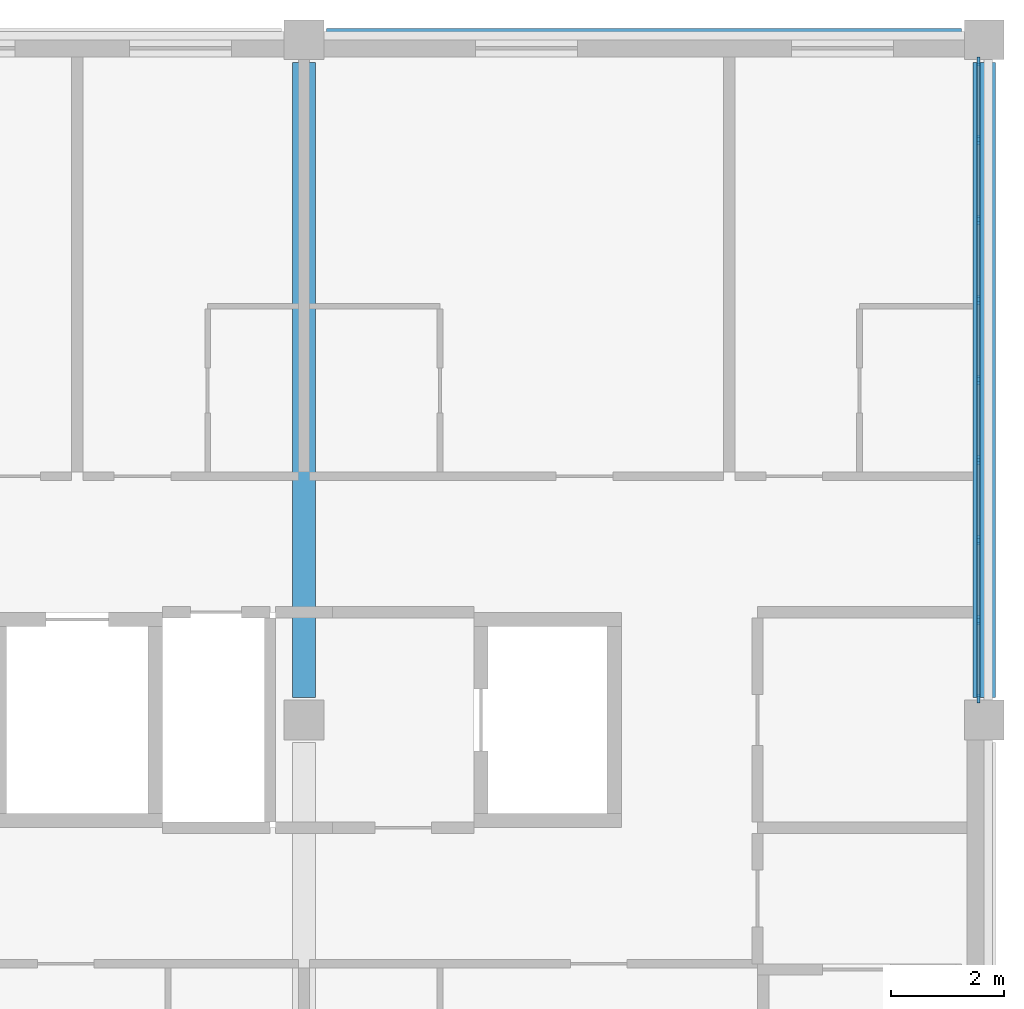
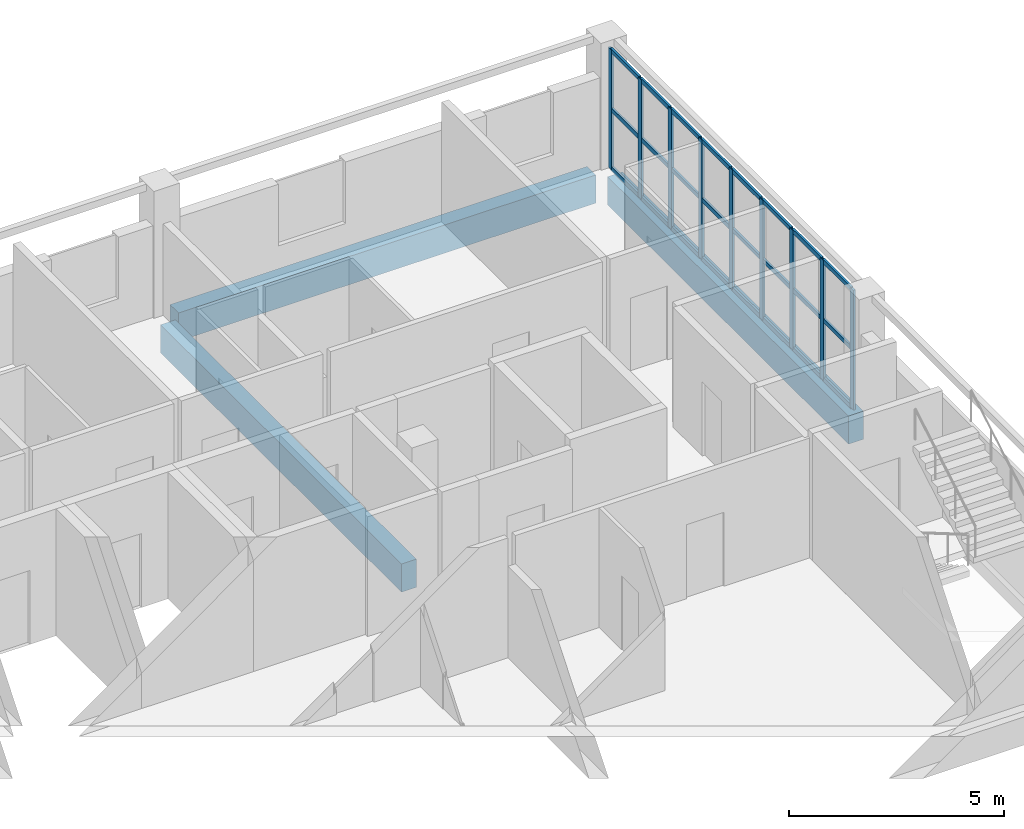
# One storey, part 4 of 11: 33 members, 3 beams, 1 element without a shape of its own.
"""IFC4 building model written with IfcOpenShell, lengths in metres."""

import ifcopenshell
import ifcopenshell.guid

model = None  # the IFC model being written
_history = None  # IfcOwnerHistory: only IFC2X3 demands one
_inside = {}  # id of a spatial element -> (the spatial element, [elements in it])
_under = {}  # id of a project, library or spatial element -> (it, [spatial elements below it])
_declared = {}  # id of a project -> (the project, [libraries it declares])
_typed = {}  # id of a type object -> (the type object, [elements of that type])
_made_of = {}  # id of a material, layer set ... -> (it, [elements and type objects made of it])


def new_model(schema):
    """Start an empty IFC model of exactly this schema.

    Asked for "IFC4X3", IfcOpenShell would pick the latest addendum, in which some entities
    have other attributes; the version numbers below select the first issue.
    IFC2X3 requires an IfcOwnerHistory on every rooted entity: one is made here for all.
    """
    global model, _history
    if schema == "IFC4X3":
        model = ifcopenshell.file(schema_version=(4, 3, 0, 0))
    else:
        model = ifcopenshell.file(schema=schema)
    _inside.clear()
    _under.clear()
    _declared.clear()
    _typed.clear()
    _made_of.clear()
    _history = None
    if model.schema == "IFC2X3":
        org = make("IfcOrganization", Name="unknown")
        user = make(
            "IfcPersonAndOrganization",
            ThePerson=make("IfcPerson", FamilyName="unknown"),
            TheOrganization=org,
        )
        app = make(
            "IfcApplication",
            ApplicationDeveloper=org,
            Version="unknown",
            ApplicationFullName="unknown",
            ApplicationIdentifier="unknown",
        )
        _history = make(
            "IfcOwnerHistory",
            OwningUser=user,
            OwningApplication=app,
            ChangeAction="ADDED",
            CreationDate=0,
        )
    return model


def make(cls, **values):
    """One entity of the class cls with the attributes given. An attribute that is None is left unset."""
    return model.create_entity(
        cls, **{name: value for name, value in values.items() if value is not None}
    )


def rooted(cls, **values):
    """An entity with a GlobalId (a new one), such as an element, a storey or a relation."""
    return make(cls, GlobalId=ifcopenshell.guid.new(), OwnerHistory=_history, **values)


def si_unit(unit_type, name, prefix=None):
    """IfcSIUnit, for example si_unit("LENGTHUNIT", "METRE", prefix="MILLI")."""
    return make("IfcSIUnit", UnitType=unit_type, Prefix=prefix, Name=name)


def assignment(units):
    """IfcUnitAssignment: the units of a project."""
    return None if units is None else make("IfcUnitAssignment", Units=units)


def point(xyz):
    """IfcCartesianPoint."""
    return None if xyz is None else make("IfcCartesianPoint", Coordinates=xyz)


def direction(xyz):
    """IfcDirection."""
    return None if xyz is None else make("IfcDirection", DirectionRatios=xyz)


def frame(location, z_axis=None, x_axis=None):
    """IfcAxis2Placement3D, a coordinate frame: its origin and axes. An axis left out is left unset."""
    return make(
        "IfcAxis2Placement3D",
        Location=point(location),
        Axis=direction(z_axis),
        RefDirection=direction(x_axis),
    )


def frame_2d(location, x_axis=None):
    """IfcAxis2Placement2D, a coordinate frame in the plane: its origin and x axis."""
    return make(
        "IfcAxis2Placement2D", Location=point(location), RefDirection=direction(x_axis)
    )


def origin():
    """The frame at (0, 0, 0) with its axes left unset."""
    return frame((0.0, 0.0, 0.0))


def origin_2d():
    """The frame at (0, 0) in the plane with its x axis left unset."""
    return frame_2d((0.0, 0.0))


def place(relative_to, where):
    """IfcLocalPlacement: puts the frame where relative to a parent placement (None: the world)."""
    return make(
        "IfcLocalPlacement", PlacementRelTo=relative_to, RelativePlacement=where
    )


def context(
    kind, dimensions, precision=None, world=None, true_north=None, identifier=None
):
    """IfcGeometricRepresentationContext, for example the 3D "Model" context."""
    return make(
        "IfcGeometricRepresentationContext",
        ContextIdentifier=identifier,
        ContextType=kind,
        CoordinateSpaceDimension=dimensions,
        Precision=precision,
        WorldCoordinateSystem=world,
        TrueNorth=true_north,
    )


def subcontext(parent, identifier, kind, view, scale=None):
    """IfcGeometricRepresentationSubContext, for example "Body" below "Model"."""
    return make(
        "IfcGeometricRepresentationSubContext",
        ContextIdentifier=identifier,
        ContextType=kind,
        ParentContext=parent,
        TargetScale=scale,
        TargetView=view,
    )


def project(units=None, contexts=None):
    """IfcProject with its units and contexts."""
    return rooted(
        "IfcProject",
        Name="project",
        RepresentationContexts=contexts,
        UnitsInContext=assignment(units),
    )


def spatial(cls, under=None, at=None, **own):
    """A site, building, storey or space (cls), placed at a placement, below another one or the project."""
    s = rooted(cls, ObjectPlacement=at, **own)
    if under is not None:
        _under.setdefault(under.id(), (under, []))[1].append(s)
    return s


def profile(cls, at=None, kind="AREA", **sizes):
    """A parametric profile (cls). Its sizes go by their IFC names, for example OverallWidth=200.0."""
    return make(cls, ProfileType=kind, Position=at, **sizes)


def rectangle(**sizes):
    """IfcRectangleProfileDef."""
    return profile("IfcRectangleProfileDef", **sizes)


def extrude(swept, where, along, depth):
    """IfcExtrudedAreaSolid: the profile swept, set in the frame where, extruded along a direction by depth."""
    return make(
        "IfcExtrudedAreaSolid",
        SweptArea=swept,
        Position=where,
        ExtrudedDirection=direction(along),
        Depth=depth,
    )


def shape(context_of_items, identifier, shape_type, items):
    """IfcShapeRepresentation: the items that make up one representation, for example the "Body"."""
    return make(
        "IfcShapeRepresentation",
        ContextOfItems=context_of_items,
        RepresentationIdentifier=identifier,
        RepresentationType=shape_type,
        Items=items,
    )


def material(Name=None, Category=None):
    """IfcMaterial."""
    return make("IfcMaterial", Name=Name, Category=Category)


def layer(
    of_material, thickness, ventilated=None, Name=None, Category=None, Priority=None
):
    """IfcMaterialLayer: one layer of a wall or slab, of a material (None: an air gap)."""
    return make(
        "IfcMaterialLayer",
        Material=of_material,
        LayerThickness=thickness,
        IsVentilated=ventilated,
        Name=Name,
        Category=Category,
        Priority=Priority,
    )


def layer_set(layers, Name=None):
    """IfcMaterialLayerSet."""
    return make("IfcMaterialLayerSet", MaterialLayers=layers, LayerSetName=Name)


def material_profile(
    of_material, cross_section, Name=None, Category=None, Priority=None
):
    """IfcMaterialProfile: a cross section and its material."""
    return make(
        "IfcMaterialProfile",
        Name=Name,
        Material=of_material,
        Profile=cross_section,
        Priority=Priority,
        Category=Category,
    )


def profile_set(profiles, Name=None, composite=None):
    """IfcMaterialProfileSet."""
    return make(
        "IfcMaterialProfileSet",
        Name=Name,
        MaterialProfiles=profiles,
        CompositeProfile=composite,
    )


def made_of(thing, what):
    """Note that an element or type object is made of a material, layer set ...; save() writes the relation."""
    if what is not None:
        _made_of.setdefault(what.id(), (what, []))[1].append(thing)
    return thing


def type_object(cls, material=None, **own):
    """A type object (cls), such as IfcWallType, which elements share."""
    return made_of(rooted(cls, **own), material)


def element(
    cls,
    number,
    at=None,
    inside=None,
    cuts=None,
    type_object=None,
    material=None,
    context=None,
    identifier="Body",
    shape_type=None,
    held_by="IfcProductDefinitionShape",
    body=None,
    shapes=None,
    **own,
):
    """One element of the class cls, such as IfcWall. Its Tag is "e" and its number.

    at: its placement. inside: the storey or other place that contains it. cuts: it is an
    opening in that element (IfcRelVoidsElement). A single representation is given by context,
    identifier, shape_type and body (its items); several are given by shapes. held_by: the class
    of the entity that holds the representations. save() writes the other relations.
    """
    e = rooted(cls, Tag="e%d" % number, ObjectPlacement=at, **own)
    if body is not None:
        shapes = [shape(context, identifier, shape_type, body)]
    if shapes is not None:
        e.Representation = make(held_by, Representations=shapes)
    if inside is not None:
        _inside.setdefault(inside.id(), (inside, []))[1].append(e)
    if cuts is not None:
        rooted(
            "IfcRelVoidsElement", RelatingBuildingElement=cuts, RelatedOpeningElement=e
        )
    if type_object is not None:
        _typed.setdefault(type_object.id(), (type_object, []))[1].append(e)
    return made_of(e, material)


def aggregate(whole, parts):
    """IfcRelAggregates: a whole, such as a stair, and the parts it consists of."""
    return rooted("IfcRelAggregates", RelatingObject=whole, RelatedObjects=parts)


def save(model, path):
    """Write the relations noted so far, then the file.

    IfcRelAggregates (storeys below a building ...), IfcRelContainedInSpatialStructure (elements
    in a storey), IfcRelDefinesByType, IfcRelAssociatesMaterial and IfcRelDeclares: one each for
    every whole, place, type object, material and project.
    """
    for whole, parts in _under.values():
        aggregate(whole, parts)
    for where, things in _inside.values():
        rooted(
            "IfcRelContainedInSpatialStructure",
            RelatedElements=things,
            RelatingStructure=where,
        )
    for kind, things in _typed.values():
        rooted("IfcRelDefinesByType", RelatedObjects=things, RelatingType=kind)
    for what, things in _made_of.values():
        rooted("IfcRelAssociatesMaterial", RelatedObjects=things, RelatingMaterial=what)
    for by, libraries in _declared.values():
        rooted("IfcRelDeclares", RelatingContext=by, RelatedDefinitions=libraries)
    model.write(path)


model = new_model("IFC4")

# Units and contexts
model_context = context("Model", 3, precision=1e-05, world=origin(), true_north=direction((0.0, 1.0)))
body_context = subcontext(model_context, "Body", "Model", "MODEL_VIEW")
ifc_project = project(units=[si_unit("LENGTHUNIT", "METRE"), si_unit("AREAUNIT", "SQUARE_METRE"), si_unit("VOLUMEUNIT", "CUBIC_METRE"), si_unit("PLANEANGLEUNIT", "RADIAN"), si_unit("MASSUNIT", "GRAM", prefix="KILO")], contexts=[model_context])

# Site, building, storey
site_placement = place(None, origin())
site = spatial("IfcSite", under=ifc_project, at=site_placement, CompositionType="ELEMENT")
building_placement = place(site_placement, origin())
building = spatial("IfcBuilding", under=site, at=building_placement, Name="Lilac Gate Convention Centre", CompositionType="ELEMENT")
storey_placement = place(building_placement, frame((0.0, 0.0, 49.800048828125)))
storey = spatial("IfcBuildingStorey", under=building, at=storey_placement, Name="L12", CompositionType="ELEMENT", Elevation=49.800048828125)

# Curtain wall, members
ifc_material_1 = material(Name="Aluminium framed double glazing", Category="aluminium")
ifc_layer = layer(ifc_material_1, 0.199951171875)
ifc_layer_set = layer_set([ifc_layer], Name="Aluminium framed double glazing")
curtain_wall_type = type_object("IfcCurtainWallType", Name="Unitised curtain wall 1500", PredefinedType="NOTDEFINED", material=ifc_layer_set)
curtain_wall_placement = place(storey_placement, origin())
curtain_wall = element("IfcCurtainWall", 1, at=curtain_wall_placement, inside=storey, type_object=curtain_wall_type, Name="Curtain wall E L12 2", PredefinedType="NOTDEFINED")
ifc_material_2 = material(Name="Aluminium alloy 6063", Category="aluminium")
ifc_material_profile_1 = material_profile(ifc_material_2, rectangle(XDim=0.06005859375, YDim=0.159912109375, at=origin_2d()), Name="Curtain wall mullion 60 x 160")
ifc_profile_set_1 = profile_set([ifc_material_profile_1], Name="Aluminium alloy 6063")
member_type_1 = type_object("IfcMemberType", Name="Curtain wall mullion 60 x 160", PredefinedType="MULLION", material=ifc_profile_set_1)
member_1_placement = place(storey_placement, frame((89.89990234375, 234.380126953125, 0.0), z_axis=(0.0, 0.0, 1.0), x_axis=(-1.0, 0.0, 0.0)))
member_1 = element("IfcMember", 2, at=member_1_placement, type_object=member_type_1, Name="CW mullion 1", PredefinedType="MULLION", context=body_context, shape_type="SweptSolid", body=[
    extrude(rectangle(XDim=0.06005859375, YDim=0.159912109375, at=origin_2d()), origin(), (0.0, 0.0, 1.0), 3.39990234375),
])
member_2_placement = place(storey_placement, frame((89.89990234375, 235.762451171875, 0.0), z_axis=(0.0, 0.0, 1.0), x_axis=(-1.0, 0.0, 0.0)))
member_2 = element("IfcMember", 3, at=member_2_placement, type_object=member_type_1, Name="CW mullion 2", PredefinedType="MULLION", context=body_context, shape_type="SweptSolid", body=[
    extrude(rectangle(XDim=0.06005859375, YDim=0.159912109375, at=origin_2d()), origin(), (0.0, 0.0, 1.0), 3.39990234375),
])
member_3_placement = place(storey_placement, frame((89.89990234375, 237.175048828125, 0.0), z_axis=(0.0, 0.0, 1.0), x_axis=(-1.0, 0.0, 0.0)))
member_3 = element("IfcMember", 4, at=member_3_placement, type_object=member_type_1, Name="CW mullion 3", PredefinedType="MULLION", context=body_context, shape_type="SweptSolid", body=[
    extrude(rectangle(XDim=0.06005859375, YDim=0.159912109375, at=origin_2d()), origin(), (0.0, 0.0, 1.0), 3.39990234375),
])
member_4_placement = place(storey_placement, frame((89.89990234375, 238.58740234375, 0.0), z_axis=(0.0, 0.0, 1.0), x_axis=(-1.0, 0.0, 0.0)))
member_4 = element("IfcMember", 5, at=member_4_placement, type_object=member_type_1, Name="CW mullion 4", PredefinedType="MULLION", context=body_context, shape_type="SweptSolid", body=[
    extrude(rectangle(XDim=0.06005859375, YDim=0.159912109375, at=origin_2d()), origin(), (0.0, 0.0, 1.0), 3.39990234375),
])
member_5_placement = place(storey_placement, frame((89.89990234375, 240.0, 0.0), z_axis=(0.0, 0.0, 1.0), x_axis=(-1.0, 0.0, 0.0)))
member_5 = element("IfcMember", 6, at=member_5_placement, type_object=member_type_1, Name="CW mullion 5", PredefinedType="MULLION", context=body_context, shape_type="SweptSolid", body=[
    extrude(rectangle(XDim=0.06005859375, YDim=0.159912109375, at=origin_2d()), origin(), (0.0, 0.0, 1.0), 3.39990234375),
])
member_6_placement = place(storey_placement, frame((89.89990234375, 241.41259765625, 0.0), z_axis=(0.0, 0.0, 1.0), x_axis=(-1.0, 0.0, 0.0)))
member_6 = element("IfcMember", 7, at=member_6_placement, type_object=member_type_1, Name="CW mullion 6", PredefinedType="MULLION", context=body_context, shape_type="SweptSolid", body=[
    extrude(rectangle(XDim=0.06005859375, YDim=0.159912109375, at=origin_2d()), origin(), (0.0, 0.0, 1.0), 3.39990234375),
])
member_7_placement = place(storey_placement, frame((89.89990234375, 242.824951171875, 0.0), z_axis=(0.0, 0.0, 1.0), x_axis=(-1.0, 0.0, 0.0)))
member_7 = element("IfcMember", 8, at=member_7_placement, type_object=member_type_1, Name="CW mullion 7", PredefinedType="MULLION", context=body_context, shape_type="SweptSolid", body=[
    extrude(rectangle(XDim=0.06005859375, YDim=0.159912109375, at=origin_2d()), origin(), (0.0, 0.0, 1.0), 3.39990234375),
])
member_8_placement = place(storey_placement, frame((89.89990234375, 244.237548828125, 0.0), z_axis=(0.0, 0.0, 1.0), x_axis=(-1.0, 0.0, 0.0)))
member_8 = element("IfcMember", 9, at=member_8_placement, type_object=member_type_1, Name="CW mullion 8", PredefinedType="MULLION", context=body_context, shape_type="SweptSolid", body=[
    extrude(rectangle(XDim=0.06005859375, YDim=0.159912109375, at=origin_2d()), origin(), (0.0, 0.0, 1.0), 3.39990234375),
])
member_9_placement = place(storey_placement, frame((89.89990234375, 245.619873046875, 0.0), z_axis=(0.0, 0.0, 1.0), x_axis=(-1.0, 0.0, 0.0)))
member_9 = element("IfcMember", 10, at=member_9_placement, type_object=member_type_1, Name="CW mullion 9", PredefinedType="MULLION", context=body_context, shape_type="SweptSolid", body=[
    extrude(rectangle(XDim=0.06005859375, YDim=0.159912109375, at=origin_2d()), origin(), (0.0, 0.0, 1.0), 3.39990234375),
])
ifc_material_profile_2 = material_profile(ifc_material_2, rectangle(XDim=0.06005859375, YDim=0.1201171875, at=origin_2d()), Name="Curtain wall transom 60 x 120")
ifc_profile_set_2 = profile_set([ifc_material_profile_2], Name="Aluminium alloy 6063")
member_type_2 = type_object("IfcMemberType", Name="Curtain wall transom 60 x 120", PredefinedType="USERDEFINED", material=ifc_profile_set_2)
member_10_placement = place(storey_placement, frame((89.89990234375, 234.41015625, 0.030029296875), z_axis=(0.0, 1.0, 0.0), x_axis=(-1.0, 0.0, 0.0)))
member_10 = element("IfcMember", 11, at=member_10_placement, type_object=member_type_2, Name="CW transom 1.1", ObjectType="TRANSOM", PredefinedType="USERDEFINED", context=body_context, shape_type="SweptSolid", body=[
    extrude(rectangle(XDim=0.06005859375, YDim=0.1201171875, at=origin_2d()), origin(), (0.0, 0.0, 1.0), 1.322509765625),
])
member_11_placement = place(storey_placement, frame((89.89990234375, 234.41015625, 1.699951171875), z_axis=(0.0, 1.0, 0.0), x_axis=(-1.0, 0.0, 0.0)))
member_11 = element("IfcMember", 12, at=member_11_placement, type_object=member_type_2, Name="CW transom 1.2", ObjectType="TRANSOM", PredefinedType="USERDEFINED", context=body_context, shape_type="SweptSolid", body=[
    extrude(rectangle(XDim=0.06005859375, YDim=0.1201171875, at=origin_2d()), origin(), (0.0, 0.0, 1.0), 1.322509765625),
])
member_12_placement = place(storey_placement, frame((89.89990234375, 234.41015625, 3.369873046875), z_axis=(0.0, 1.0, 0.0), x_axis=(-1.0, 0.0, 0.0)))
member_12 = element("IfcMember", 13, at=member_12_placement, type_object=member_type_2, Name="CW transom 1.3", ObjectType="TRANSOM", PredefinedType="USERDEFINED", context=body_context, shape_type="SweptSolid", body=[
    extrude(rectangle(XDim=0.06005859375, YDim=0.1201171875, at=origin_2d()), origin(), (0.0, 0.0, 1.0), 1.322509765625),
])
member_13_placement = place(storey_placement, frame((89.89990234375, 235.79248046875, 0.030029296875), z_axis=(0.0, 1.0, 0.0), x_axis=(-1.0, 0.0, 0.0)))
member_13 = element("IfcMember", 14, at=member_13_placement, type_object=member_type_2, Name="CW transom 2.1", ObjectType="TRANSOM", PredefinedType="USERDEFINED", context=body_context, shape_type="SweptSolid", body=[
    extrude(rectangle(XDim=0.06005859375, YDim=0.1201171875, at=origin_2d()), origin(), (0.0, 0.0, 1.0), 1.3525390625),
])
member_14_placement = place(storey_placement, frame((89.89990234375, 235.79248046875, 1.699951171875), z_axis=(0.0, 1.0, 0.0), x_axis=(-1.0, 0.0, 0.0)))
member_14 = element("IfcMember", 15, at=member_14_placement, type_object=member_type_2, Name="CW transom 2.2", ObjectType="TRANSOM", PredefinedType="USERDEFINED", context=body_context, shape_type="SweptSolid", body=[
    extrude(rectangle(XDim=0.06005859375, YDim=0.1201171875, at=origin_2d()), origin(), (0.0, 0.0, 1.0), 1.3525390625),
])
member_15_placement = place(storey_placement, frame((89.89990234375, 235.79248046875, 3.369873046875), z_axis=(0.0, 1.0, 0.0), x_axis=(-1.0, 0.0, 0.0)))
member_15 = element("IfcMember", 16, at=member_15_placement, type_object=member_type_2, Name="CW transom 2.3", ObjectType="TRANSOM", PredefinedType="USERDEFINED", context=body_context, shape_type="SweptSolid", body=[
    extrude(rectangle(XDim=0.06005859375, YDim=0.1201171875, at=origin_2d()), origin(), (0.0, 0.0, 1.0), 1.3525390625),
])
member_16_placement = place(storey_placement, frame((89.89990234375, 237.205078125, 0.030029296875), z_axis=(0.0, 1.0, 0.0), x_axis=(-1.0, 0.0, 0.0)))
member_16 = element("IfcMember", 17, at=member_16_placement, type_object=member_type_2, Name="CW transom 3.1", ObjectType="TRANSOM", PredefinedType="USERDEFINED", context=body_context, shape_type="SweptSolid", body=[
    extrude(rectangle(XDim=0.06005859375, YDim=0.1201171875, at=origin_2d()), origin(), (0.0, 0.0, 1.0), 1.3525390625),
])
member_17_placement = place(storey_placement, frame((89.89990234375, 237.205078125, 1.699951171875), z_axis=(0.0, 1.0, 0.0), x_axis=(-1.0, 0.0, 0.0)))
member_17 = element("IfcMember", 18, at=member_17_placement, type_object=member_type_2, Name="CW transom 3.2", ObjectType="TRANSOM", PredefinedType="USERDEFINED", context=body_context, shape_type="SweptSolid", body=[
    extrude(rectangle(XDim=0.06005859375, YDim=0.1201171875, at=origin_2d()), origin(), (0.0, 0.0, 1.0), 1.3525390625),
])
member_18_placement = place(storey_placement, frame((89.89990234375, 237.205078125, 3.369873046875), z_axis=(0.0, 1.0, 0.0), x_axis=(-1.0, 0.0, 0.0)))
member_18 = element("IfcMember", 19, at=member_18_placement, type_object=member_type_2, Name="CW transom 3.3", ObjectType="TRANSOM", PredefinedType="USERDEFINED", context=body_context, shape_type="SweptSolid", body=[
    extrude(rectangle(XDim=0.06005859375, YDim=0.1201171875, at=origin_2d()), origin(), (0.0, 0.0, 1.0), 1.3525390625),
])
member_19_placement = place(storey_placement, frame((89.89990234375, 238.617431640625, 0.030029296875), z_axis=(0.0, 1.0, 0.0), x_axis=(-1.0, 0.0, 0.0)))
member_19 = element("IfcMember", 20, at=member_19_placement, type_object=member_type_2, Name="CW transom 4.1", ObjectType="TRANSOM", PredefinedType="USERDEFINED", context=body_context, shape_type="SweptSolid", body=[
    extrude(rectangle(XDim=0.06005859375, YDim=0.1201171875, at=origin_2d()), origin(), (0.0, 0.0, 1.0), 1.3525390625),
])
member_20_placement = place(storey_placement, frame((89.89990234375, 238.617431640625, 1.699951171875), z_axis=(0.0, 1.0, 0.0), x_axis=(-1.0, 0.0, 0.0)))
member_20 = element("IfcMember", 21, at=member_20_placement, type_object=member_type_2, Name="CW transom 4.2", ObjectType="TRANSOM", PredefinedType="USERDEFINED", context=body_context, shape_type="SweptSolid", body=[
    extrude(rectangle(XDim=0.06005859375, YDim=0.1201171875, at=origin_2d()), origin(), (0.0, 0.0, 1.0), 1.3525390625),
])
member_21_placement = place(storey_placement, frame((89.89990234375, 238.617431640625, 3.369873046875), z_axis=(0.0, 1.0, 0.0), x_axis=(-1.0, 0.0, 0.0)))
member_21 = element("IfcMember", 22, at=member_21_placement, type_object=member_type_2, Name="CW transom 4.3", ObjectType="TRANSOM", PredefinedType="USERDEFINED", context=body_context, shape_type="SweptSolid", body=[
    extrude(rectangle(XDim=0.06005859375, YDim=0.1201171875, at=origin_2d()), origin(), (0.0, 0.0, 1.0), 1.3525390625),
])
member_22_placement = place(storey_placement, frame((89.89990234375, 240.030029296875, 0.030029296875), z_axis=(0.0, 1.0, 0.0), x_axis=(-1.0, 0.0, 0.0)))
member_22 = element("IfcMember", 23, at=member_22_placement, type_object=member_type_2, Name="CW transom 5.1", ObjectType="TRANSOM", PredefinedType="USERDEFINED", context=body_context, shape_type="SweptSolid", body=[
    extrude(rectangle(XDim=0.06005859375, YDim=0.1201171875, at=origin_2d()), origin(), (0.0, 0.0, 1.0), 1.3525390625),
])
member_23_placement = place(storey_placement, frame((89.89990234375, 240.030029296875, 1.699951171875), z_axis=(0.0, 1.0, 0.0), x_axis=(-1.0, 0.0, 0.0)))
member_23 = element("IfcMember", 24, at=member_23_placement, type_object=member_type_2, Name="CW transom 5.2", ObjectType="TRANSOM", PredefinedType="USERDEFINED", context=body_context, shape_type="SweptSolid", body=[
    extrude(rectangle(XDim=0.06005859375, YDim=0.1201171875, at=origin_2d()), origin(), (0.0, 0.0, 1.0), 1.3525390625),
])
member_24_placement = place(storey_placement, frame((89.89990234375, 240.030029296875, 3.369873046875), z_axis=(0.0, 1.0, 0.0), x_axis=(-1.0, 0.0, 0.0)))
member_24 = element("IfcMember", 25, at=member_24_placement, type_object=member_type_2, Name="CW transom 5.3", ObjectType="TRANSOM", PredefinedType="USERDEFINED", context=body_context, shape_type="SweptSolid", body=[
    extrude(rectangle(XDim=0.06005859375, YDim=0.1201171875, at=origin_2d()), origin(), (0.0, 0.0, 1.0), 1.3525390625),
])
member_25_placement = place(storey_placement, frame((89.89990234375, 241.4423828125, 0.030029296875), z_axis=(0.0, 1.0, 0.0), x_axis=(-1.0, 0.0, 0.0)))
member_25 = element("IfcMember", 26, at=member_25_placement, type_object=member_type_2, Name="CW transom 6.1", ObjectType="TRANSOM", PredefinedType="USERDEFINED", context=body_context, shape_type="SweptSolid", body=[
    extrude(rectangle(XDim=0.06005859375, YDim=0.1201171875, at=origin_2d()), origin(), (0.0, 0.0, 1.0), 1.3525390625),
])
member_26_placement = place(storey_placement, frame((89.89990234375, 241.4423828125, 1.699951171875), z_axis=(0.0, 1.0, 0.0), x_axis=(-1.0, 0.0, 0.0)))
member_26 = element("IfcMember", 27, at=member_26_placement, type_object=member_type_2, Name="CW transom 6.2", ObjectType="TRANSOM", PredefinedType="USERDEFINED", context=body_context, shape_type="SweptSolid", body=[
    extrude(rectangle(XDim=0.06005859375, YDim=0.1201171875, at=origin_2d()), origin(), (0.0, 0.0, 1.0), 1.3525390625),
])
member_27_placement = place(storey_placement, frame((89.89990234375, 241.4423828125, 3.369873046875), z_axis=(0.0, 1.0, 0.0), x_axis=(-1.0, 0.0, 0.0)))
member_27 = element("IfcMember", 28, at=member_27_placement, type_object=member_type_2, Name="CW transom 6.3", ObjectType="TRANSOM", PredefinedType="USERDEFINED", context=body_context, shape_type="SweptSolid", body=[
    extrude(rectangle(XDim=0.06005859375, YDim=0.1201171875, at=origin_2d()), origin(), (0.0, 0.0, 1.0), 1.3525390625),
])
member_28_placement = place(storey_placement, frame((89.89990234375, 242.85498046875, 0.030029296875), z_axis=(0.0, 1.0, 0.0), x_axis=(-1.0, 0.0, 0.0)))
member_28 = element("IfcMember", 29, at=member_28_placement, type_object=member_type_2, Name="CW transom 7.1", ObjectType="TRANSOM", PredefinedType="USERDEFINED", context=body_context, shape_type="SweptSolid", body=[
    extrude(rectangle(XDim=0.06005859375, YDim=0.1201171875, at=origin_2d()), origin(), (0.0, 0.0, 1.0), 1.3525390625),
])
member_29_placement = place(storey_placement, frame((89.89990234375, 242.85498046875, 1.699951171875), z_axis=(0.0, 1.0, 0.0), x_axis=(-1.0, 0.0, 0.0)))
member_29 = element("IfcMember", 30, at=member_29_placement, type_object=member_type_2, Name="CW transom 7.2", ObjectType="TRANSOM", PredefinedType="USERDEFINED", context=body_context, shape_type="SweptSolid", body=[
    extrude(rectangle(XDim=0.06005859375, YDim=0.1201171875, at=origin_2d()), origin(), (0.0, 0.0, 1.0), 1.3525390625),
])
member_30_placement = place(storey_placement, frame((89.89990234375, 242.85498046875, 3.369873046875), z_axis=(0.0, 1.0, 0.0), x_axis=(-1.0, 0.0, 0.0)))
member_30 = element("IfcMember", 31, at=member_30_placement, type_object=member_type_2, Name="CW transom 7.3", ObjectType="TRANSOM", PredefinedType="USERDEFINED", context=body_context, shape_type="SweptSolid", body=[
    extrude(rectangle(XDim=0.06005859375, YDim=0.1201171875, at=origin_2d()), origin(), (0.0, 0.0, 1.0), 1.3525390625),
])
member_31_placement = place(storey_placement, frame((89.89990234375, 244.267333984375, 0.030029296875), z_axis=(0.0, 1.0, 0.0), x_axis=(-1.0, 0.0, 0.0)))
member_31 = element("IfcMember", 32, at=member_31_placement, type_object=member_type_2, Name="CW transom 8.1", ObjectType="TRANSOM", PredefinedType="USERDEFINED", context=body_context, shape_type="SweptSolid", body=[
    extrude(rectangle(XDim=0.06005859375, YDim=0.1201171875, at=origin_2d()), origin(), (0.0, 0.0, 1.0), 1.322509765625),
])
member_32_placement = place(storey_placement, frame((89.89990234375, 244.267333984375, 1.699951171875), z_axis=(0.0, 1.0, 0.0), x_axis=(-1.0, 0.0, 0.0)))
member_32 = element("IfcMember", 33, at=member_32_placement, type_object=member_type_2, Name="CW transom 8.2", ObjectType="TRANSOM", PredefinedType="USERDEFINED", context=body_context, shape_type="SweptSolid", body=[
    extrude(rectangle(XDim=0.06005859375, YDim=0.1201171875, at=origin_2d()), origin(), (0.0, 0.0, 1.0), 1.322509765625),
])
member_33_placement = place(storey_placement, frame((89.89990234375, 244.267333984375, 3.369873046875), z_axis=(0.0, 1.0, 0.0), x_axis=(-1.0, 0.0, 0.0)))
member_33 = element("IfcMember", 34, at=member_33_placement, type_object=member_type_2, Name="CW transom 8.3", ObjectType="TRANSOM", PredefinedType="USERDEFINED", context=body_context, shape_type="SweptSolid", body=[
    extrude(rectangle(XDim=0.06005859375, YDim=0.1201171875, at=origin_2d()), origin(), (0.0, 0.0, 1.0), 1.322509765625),
])
aggregate(curtain_wall, [member_1, member_2, member_3, member_4, member_5, member_6, member_7, member_8, member_9, member_10, member_11, member_12, member_13, member_14, member_15, member_16, member_17, member_18, member_19, member_20, member_21, member_22, member_23, member_24, member_25, member_26, member_27, member_28, member_29, member_30, member_31, member_32, member_33])

# Beams
ifc_material_3 = material(Name="Concrete C40", Category="concrete")
ifc_material_profile_3 = material_profile(ifc_material_3, rectangle(XDim=0.39990234375, YDim=0.800048828125, at=origin_2d()), Name="RC 400x800")
ifc_profile_set_3 = profile_set([ifc_material_profile_3], Name="Concrete C40")
beam_type = type_object("IfcBeamType", Name="Tower primary beam 400x800 C40", PredefinedType="BEAM", material=ifc_profile_set_3)
for number, where, z_axis, x_axis, name in (
    (35, (78.39990234375, 246.0, -0.60009765625), (1.0, 0.0, 0.0), (0.0, 1.0, 0.0), "RB3 L12 7/U-8/U"),
    (36, (78.0, 234.39990234375, -0.60009765625), (0.0, 1.0, 0.0), (-1.0, 0.0, 0.0), "RB3 L12 7/T-7/U"),
    (37, (90.0, 234.39990234375, -0.60009765625), (0.0, 1.0, 0.0), (-1.0, 0.0, 0.0), "RB3 L12 8/T-8/U"),
):
    element("IfcBeam", number, at=place(storey_placement, frame(where, z_axis=z_axis, x_axis=x_axis)), inside=storey, type_object=beam_type, Name=name, PredefinedType="BEAM", context=body_context, shape_type="SweptSolid", body=[
        extrude(rectangle(XDim=0.39990234375, YDim=0.800048828125, at=origin_2d()), origin(), (0.0, 0.0, 1.0), 11.2001953125),
    ])

save(model, "model.ifc")
